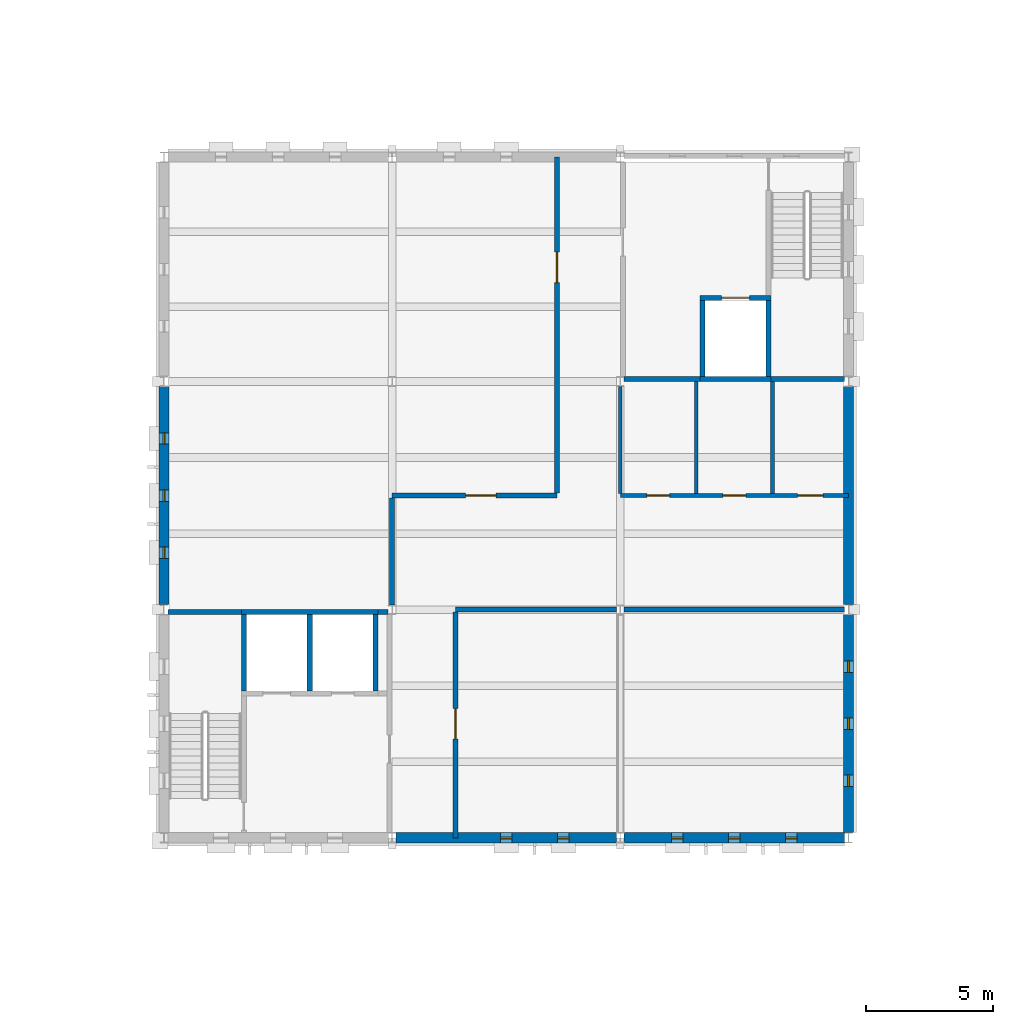
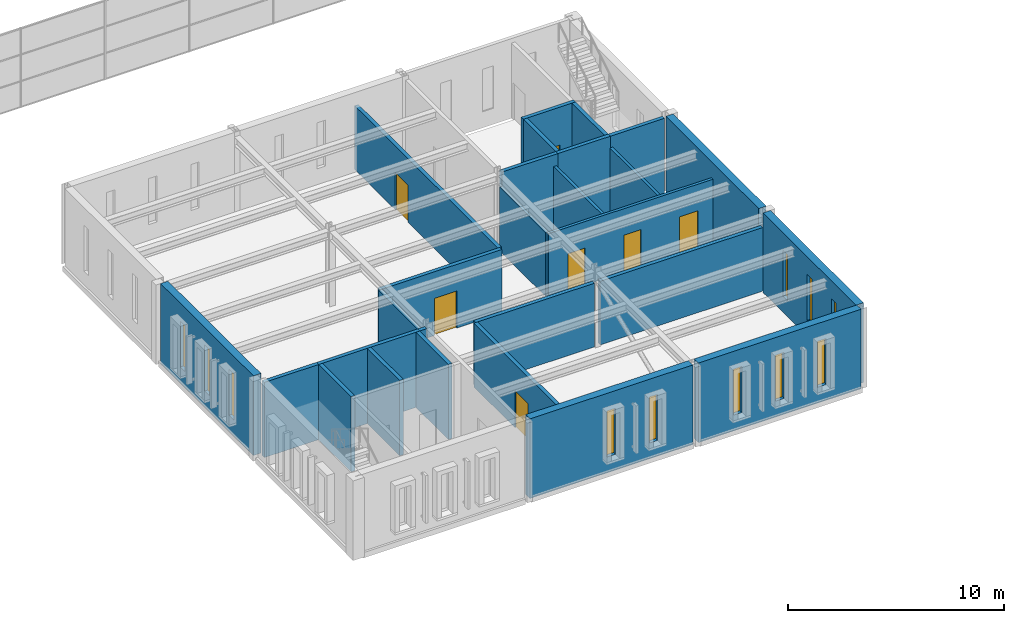
# One storey, part 66 of 111: 27 walls, 11 windows, 7 doors, 18 openings.
"""IFC4 building model written with IfcOpenShell, lengths in metres."""

from ifc_helpers import new_model, si_unit, direction, frame, frame_2d, origin, place, context, subcontext, project, spatial, rectangle, extrude, material, layer, layer_set, type_object, element, fill, save


model = new_model("IFC4")

# Units and contexts
model_context = context("Model", 3, precision=1e-05, world=origin(), true_north=direction((0.0, 1.0)))
body_context = subcontext(model_context, "Body", "Model", "MODEL_VIEW")
ifc_project = project(units=[si_unit("LENGTHUNIT", "METRE"), si_unit("AREAUNIT", "SQUARE_METRE"), si_unit("VOLUMEUNIT", "CUBIC_METRE"), si_unit("PLANEANGLEUNIT", "RADIAN"), si_unit("MASSUNIT", "GRAM", prefix="KILO")], contexts=[model_context])

# Site, building, storey
site_placement = place(None, origin())
site = spatial("IfcSite", under=ifc_project, at=site_placement, CompositionType="ELEMENT")
building_placement = place(site_placement, origin())
building = spatial("IfcBuilding", under=site, at=building_placement, Name="Kallimachos Central Library", CompositionType="ELEMENT")
storey_placement = place(building_placement, frame((0.0, 0.0, 14.39990234375)))
storey = spatial("IfcBuildingStorey", under=building, at=storey_placement, Name="L03", CompositionType="ELEMENT", Elevation=14.39990234375)

# Walls
ifc_material_1 = material(Name="Concrete C30/37", Category="concrete")
ifc_layer_1 = layer(ifc_material_1, 0.199951171875)
ifc_layer_set_1 = layer_set([ifc_layer_1], Name="Compartment wall 200")
wall_type_1 = type_object("IfcWallType", Name="Compartment wall 200", PredefinedType="SOLIDWALL", material=ifc_layer_set_1)
wall_1_placement = place(storey_placement, frame((86.0, 27.0, 0.0), z_axis=(0.0, 0.0, 1.0), x_axis=(1.0, 0.0, 0.0)))
element("IfcWall", 1, at=wall_1_placement, inside=storey, type_object=wall_type_1, Name="V5-WAL-L03-031", PredefinedType="SOLIDWALL", context=body_context, shape_type="SweptSolid", body=[
    extrude(rectangle(XDim=6.345458984375, YDim=0.199951171875, at=frame_2d((3.1728515625, 0.0))), origin(), (0.0, 0.0, 1.0), 3.60009765625),
])
wall_2_placement = place(storey_placement, frame((92.654541015625, 27.0, 0.0), z_axis=(0.0, 0.0, 1.0), x_axis=(1.0, 0.0, 0.0)))
element("IfcWall", 2, at=wall_2_placement, inside=storey, type_object=wall_type_1, Name="V5-WAL-L03-032", PredefinedType="SOLIDWALL", context=body_context, shape_type="SweptSolid", body=[
    extrude(rectangle(XDim=8.695556640625, YDim=0.199951171875, at=frame_2d((4.34765625, 0.0))), origin(), (0.0, 0.0, 1.0), 3.60009765625),
])

# Wall, opening, door
wall_3_placement = place(storey_placement, frame((83.5, 31.5, 0.0), z_axis=(0.0, 0.0, 1.0), x_axis=(1.0, 0.0, 0.0)))
wall_3 = element("IfcWall", 3, at=wall_3_placement, inside=storey, type_object=wall_type_1, Name="V5-WAL-L03-033", PredefinedType="SOLIDWALL", context=body_context, shape_type="SweptSolid", body=[
    extrude(rectangle(XDim=6.5, YDim=0.199951171875, at=frame_2d((3.25, 0.0))), origin(), (0.0, 0.0, 1.0), 3.60009765625),
])
opening_1_placement = place(wall_3_placement, frame((2.89990234375, 0.0, 0.0)))
opening_1 = element("IfcOpeningElement", 4, at=opening_1_placement, cuts=wall_3, Name="Opening D125", PredefinedType="OPENING", context=body_context, shape_type="SweptSolid", body=[
    extrude(rectangle(XDim=1.199951171875, YDim=2.10009765625, at=frame_2d((0.60009765625, 1.050048828125))), frame((0.0, 0.10986328125, 0.0), z_axis=(0.0, -1.0, 0.0), x_axis=(1.0, 0.0, 0.0)), (0.0, 0.0, 1.0), 0.219970703125),
])
ifc_material_2 = material(Name="Steel fire door", Category="steel")
door_type_1 = type_object("IfcDoorType", Name="Fire door EI2 90 1200 x 2100", OperationType="DOUBLE_DOOR_SINGLE_SWING", PredefinedType="DOOR", material=ifc_material_2)
door_1_placement = place(opening_1_placement, origin())
door_1 = element("IfcDoor", 5, at=door_1_placement, inside=storey, type_object=door_type_1, Name="Closed Stacks 1 door", OperationType="DOUBLE_DOOR_SINGLE_SWING", OverallHeight=2.10009765625, OverallWidth=1.199951171875, PredefinedType="DOOR", context=body_context, shape_type="SweptSolid", body=[
    extrude(rectangle(XDim=1.199951171875, YDim=2.10009765625, at=frame_2d((0.60009765625, 1.050048828125))), frame((0.0, 0.02490234375, 0.0), z_axis=(0.0, -1.0, 0.0), x_axis=(1.0, 0.0, 0.0)), (0.0, 0.0, 1.0), 0.050048828125),
])
fill(opening_1, door_1)

# Wall
wall_4_placement = place(storey_placement, frame((83.5, 27.1884765625, 0.0), z_axis=(0.0, 0.0, 1.0), x_axis=(0.0, 1.0, 0.0)))
element("IfcWall", 6, at=wall_4_placement, inside=storey, type_object=wall_type_1, Name="V5-WAL-L03-035", PredefinedType="SOLIDWALL", context=body_context, shape_type="SweptSolid", body=[
    extrude(rectangle(XDim=4.21142578125, YDim=0.199951171875, at=frame_2d((2.105712890625, 0.0))), origin(), (0.0, 0.0, 1.0), 3.60009765625),
])

# Wall, opening, door
wall_5_placement = place(storey_placement, frame((86.0, 18.0, 0.0), z_axis=(0.0, 0.0, 1.0), x_axis=(0.0, 1.0, 0.0)))
wall_5 = element("IfcWall", 7, at=wall_5_placement, inside=storey, type_object=wall_type_1, Name="V5-WAL-L03-036", PredefinedType="SOLIDWALL", context=body_context, shape_type="SweptSolid", body=[
    extrude(rectangle(XDim=8.89990234375, YDim=0.199951171875, at=frame_2d((4.449951171875, 0.0))), origin(), (0.0, 0.0, 1.0), 3.60009765625),
])
opening_2_placement = place(wall_5_placement, frame((3.89990234375, 0.0, 0.0)))
opening_2 = element("IfcOpeningElement", 8, at=opening_2_placement, cuts=wall_5, Name="Opening D127", PredefinedType="OPENING", context=body_context, shape_type="SweptSolid", body=[
    extrude(rectangle(XDim=1.199951171875, YDim=2.10009765625, at=frame_2d((0.60009765625, 1.050048828125))), frame((0.0, 0.10986328125, 0.0), z_axis=(0.0, -1.0, 0.0), x_axis=(1.0, 0.0, 0.0)), (0.0, 0.0, 1.0), 0.219970703125),
])
door_2_placement = place(opening_2_placement, origin())
door_2 = element("IfcDoor", 9, at=door_2_placement, inside=storey, type_object=door_type_1, Name="Closed Stacks 2 door", OperationType="DOUBLE_DOOR_SINGLE_SWING", OverallHeight=2.10009765625, OverallWidth=1.199951171875, PredefinedType="DOOR", context=body_context, shape_type="SweptSolid", body=[
    extrude(rectangle(XDim=1.199951171875, YDim=2.10009765625, at=frame_2d((0.60009765625, 1.050048828125))), frame((0.0, 0.02490234375, 0.0), z_axis=(0.0, -1.0, 0.0), x_axis=(1.0, 0.0, 0.0)), (0.0, 0.0, 1.0), 0.050048828125),
])
fill(opening_2, door_2)

wall_6_placement = place(storey_placement, frame((90.0, 31.60009765625, 0.0), z_axis=(0.0, 0.0, 1.0), x_axis=(0.0, 1.0, 0.0)))
wall_6 = element("IfcWall", 10, at=wall_6_placement, inside=storey, type_object=wall_type_1, Name="V5-WAL-L03-037", PredefinedType="SOLIDWALL", context=body_context, shape_type="SweptSolid", body=[
    extrude(rectangle(XDim=13.25, YDim=0.199951171875, at=frame_2d((6.625, 0.0))), origin(), (0.0, 0.0, 1.0), 3.60009765625),
])
opening_3_placement = place(wall_6_placement, frame((8.300048828125, 0.0, 0.0)))
opening_3 = element("IfcOpeningElement", 11, at=opening_3_placement, cuts=wall_6, Name="Opening D126", PredefinedType="OPENING", context=body_context, shape_type="SweptSolid", body=[
    extrude(rectangle(XDim=1.199951171875, YDim=2.10009765625, at=frame_2d((0.60009765625, 1.050048828125))), frame((0.0, 0.10986328125, 0.0), z_axis=(0.0, -1.0, 0.0), x_axis=(1.0, 0.0, 0.0)), (0.0, 0.0, 1.0), 0.219970703125),
])
door_3_placement = place(opening_3_placement, origin())
door_3 = element("IfcDoor", 12, at=door_3_placement, inside=storey, type_object=door_type_1, Name="Closed Stacks 1 door", OperationType="DOUBLE_DOOR_SINGLE_SWING", OverallHeight=2.10009765625, OverallWidth=1.199951171875, PredefinedType="DOOR", context=body_context, shape_type="SweptSolid", body=[
    extrude(rectangle(XDim=1.199951171875, YDim=2.10009765625, at=frame_2d((0.60009765625, 1.050048828125))), frame((0.0, 0.02490234375, 0.0), z_axis=(0.0, -1.0, 0.0), x_axis=(1.0, 0.0, 0.0)), (0.0, 0.0, 1.0), 0.050048828125),
])
fill(opening_3, door_3)

# Walls
ifc_material_3 = material(Name="Concrete C30/37", Category="concrete")
ifc_layer_2 = layer(ifc_material_3, 0.199951171875)
ifc_layer_set_2 = layer_set([ifc_layer_2], Name="Core wall 200")
wall_type_2 = type_object("IfcWallType", Name="Core wall 200", PredefinedType="SOLIDWALL", material=ifc_layer_set_2)
wall_7_placement = place(storey_placement, frame((74.64990234375, 26.89990234375, 0.0), z_axis=(0.0, 0.0, 1.0), x_axis=(1.0, 0.0, 0.0)))
element("IfcWall", 13, at=wall_7_placement, inside=storey, type_object=wall_type_2, Name="V5-WAL-L03-022", PredefinedType="SOLIDWALL", context=body_context, shape_type="SweptSolid", body=[
    extrude(rectangle(XDim=2.900146484375, YDim=0.199951171875, at=frame_2d((1.4501953125, 0.0))), origin(), (0.0, 0.0, 1.0), 4.25),
])
wall_8_placement = place(storey_placement, frame((82.949951171875, 26.89990234375, 0.0), z_axis=(0.0, 0.0, 1.0), x_axis=(1.0, 0.0, 0.0)))
element("IfcWall", 14, at=wall_8_placement, inside=storey, type_object=wall_type_2, Name="V5-WAL-L03-023", PredefinedType="SOLIDWALL", context=body_context, shape_type="SweptSolid", body=[
    extrude(rectangle(XDim=0.3955078125, YDim=0.199951171875, at=frame_2d((0.19775390625, 0.0))), origin(), (0.0, 0.0, 1.0), 4.25),
])
wall_9_placement = place(storey_placement, frame((92.654541015625, 36.10009765625, 0.0), z_axis=(0.0, 0.0, 1.0), x_axis=(1.0, 0.0, 0.0)))
element("IfcWall", 15, at=wall_9_placement, inside=storey, type_object=wall_type_2, Name="V5-WAL-L03-027", PredefinedType="SOLIDWALL", context=body_context, shape_type="SweptSolid", body=[
    extrude(rectangle(XDim=2.995361328125, YDim=0.199951171875, at=frame_2d((1.49755859375, 0.0))), origin(), (0.0, 0.0, 1.0), 4.25),
])
wall_10_placement = place(storey_placement, frame((98.449951171875, 36.10009765625, 0.0), z_axis=(0.0, 0.0, 1.0), x_axis=(1.0, 0.0, 0.0)))
element("IfcWall", 16, at=wall_10_placement, inside=storey, type_object=wall_type_2, Name="V5-WAL-L03-028", PredefinedType="SOLIDWALL", context=body_context, shape_type="SweptSolid", body=[
    extrude(rectangle(XDim=2.900146484375, YDim=0.199951171875, at=frame_2d((1.4501953125, 0.0))), origin(), (0.0, 0.0, 1.0), 4.25),
])

# Wall, openings, doors
ifc_material_4 = material(Name="Gypsum board partition")
ifc_layer_3 = layer(ifc_material_4, 0.14990234375)
ifc_layer_set_3 = layer_set([ifc_layer_3], Name="Fire-resisting partition 150")
wall_type_3 = type_object("IfcWallType", Name="Fire-resisting partition 150", PredefinedType="PARTITIONING", material=ifc_layer_set_3)
wall_11_placement = place(storey_placement, frame((92.5, 31.5, 0.0), z_axis=(0.0, 0.0, 1.0), x_axis=(1.0, 0.0, 0.0)))
wall_11 = element("IfcWall", 17, at=wall_11_placement, inside=storey, type_object=wall_type_3, Name="V5-WAL-L03-034", PredefinedType="PARTITIONING", context=body_context, shape_type="SweptSolid", body=[
    extrude(rectangle(XDim=9.0, YDim=0.14990234375, at=frame_2d((4.5, 0.0))), origin(), (0.0, 0.0, 1.0), 3.60009765625),
])
opening_4_placement = place(wall_11_placement, frame((1.050048828125, 0.0, 0.0)))
opening_4 = element("IfcOpeningElement", 18, at=opening_4_placement, cuts=wall_11, Name="Opening D128", PredefinedType="OPENING", context=body_context, shape_type="SweptSolid", body=[
    extrude(rectangle(XDim=0.89990234375, YDim=2.10009765625, at=frame_2d((0.449951171875, 1.050048828125))), frame((0.0, 0.0849609375, 0.0), z_axis=(0.0, -1.0, 0.0), x_axis=(1.0, 0.0, 0.0)), (0.0, 0.0, 1.0), 0.169921875),
])
opening_5_placement = place(wall_11_placement, frame((4.050048828125, 0.0, 0.0)))
opening_5 = element("IfcOpeningElement", 19, at=opening_5_placement, cuts=wall_11, Name="Opening D129", PredefinedType="OPENING", context=body_context, shape_type="SweptSolid", body=[
    extrude(rectangle(XDim=0.89990234375, YDim=2.10009765625, at=frame_2d((0.449951171875, 1.050048828125))), frame((0.0, 0.0849609375, 0.0), z_axis=(0.0, -1.0, 0.0), x_axis=(1.0, 0.0, 0.0)), (0.0, 0.0, 1.0), 0.169921875),
])
opening_6_placement = place(wall_11_placement, frame((7.0, 0.0, 0.0)))
opening_6 = element("IfcOpeningElement", 20, at=opening_6_placement, cuts=wall_11, Name="Opening D130", PredefinedType="OPENING", context=body_context, shape_type="SweptSolid", body=[
    extrude(rectangle(XDim=1.0, YDim=2.10009765625, at=frame_2d((0.5, 1.050048828125))), frame((0.0, 0.0849609375, 0.0), z_axis=(0.0, -1.0, 0.0), x_axis=(1.0, 0.0, 0.0)), (0.0, 0.0, 1.0), 0.169921875),
])
ifc_material_5 = material(Name="Steel fire door", Category="steel")
door_type_2 = type_object("IfcDoorType", Name="Fire door EI2 30 1000 x 2100", OperationType="NOTDEFINED", PredefinedType="DOOR", material=ifc_material_5)
door_4_placement = place(opening_6_placement, origin())
door_4 = element("IfcDoor", 21, at=door_4_placement, inside=storey, type_object=door_type_2, Name="Accessible WC door", OperationType="SINGLE_SWING_LEFT", OverallHeight=2.10009765625, OverallWidth=1.0, PredefinedType="DOOR", context=body_context, shape_type="SweptSolid", body=[
    extrude(rectangle(XDim=1.0, YDim=2.10009765625, at=frame_2d((0.5, 1.050048828125))), frame((0.0, 0.02490234375, 0.0), z_axis=(0.0, -1.0, 0.0), x_axis=(1.0, 0.0, 0.0)), (0.0, 0.0, 1.0), 0.050048828125),
])
fill(opening_6, door_4)
ifc_material_6 = material(Name="Steel fire door", Category="steel")
door_type_3 = type_object("IfcDoorType", Name="Fire door EI2 30 900 x 2100", OperationType="NOTDEFINED", PredefinedType="DOOR", material=ifc_material_6)
door_5_placement = place(opening_4_placement, origin())
door_5 = element("IfcDoor", 22, at=door_5_placement, inside=storey, type_object=door_type_3, Name="Men's WC door", OperationType="SINGLE_SWING_RIGHT", OverallHeight=2.10009765625, OverallWidth=0.89990234375, PredefinedType="DOOR", context=body_context, shape_type="SweptSolid", body=[
    extrude(rectangle(XDim=0.89990234375, YDim=2.10009765625, at=frame_2d((0.449951171875, 1.050048828125))), frame((0.0, 0.02490234375, 0.0), z_axis=(0.0, -1.0, 0.0), x_axis=(1.0, 0.0, 0.0)), (0.0, 0.0, 1.0), 0.050048828125),
])
fill(opening_4, door_5)
door_6_placement = place(opening_5_placement, origin())
door_6 = element("IfcDoor", 23, at=door_6_placement, inside=storey, type_object=door_type_3, Name="Women's WC door", OperationType="SINGLE_SWING_RIGHT", OverallHeight=2.10009765625, OverallWidth=0.89990234375, PredefinedType="DOOR", context=body_context, shape_type="SweptSolid", body=[
    extrude(rectangle(XDim=0.89990234375, YDim=2.10009765625, at=frame_2d((0.449951171875, 1.050048828125))), frame((0.0, 0.02490234375, 0.0), z_axis=(0.0, -1.0, 0.0), x_axis=(1.0, 0.0, 0.0)), (0.0, 0.0, 1.0), 0.050048828125),
])
fill(opening_5, door_6)

# Walls
wall_12_placement = place(storey_placement, frame((92.5, 31.574951171875, 0.0), z_axis=(0.0, 0.0, 1.0), x_axis=(0.0, 1.0, 0.0)))
element("IfcWall", 24, at=wall_12_placement, inside=storey, type_object=wall_type_3, Name="V5-WAL-L03-038", PredefinedType="PARTITIONING", context=body_context, shape_type="SweptSolid", body=[
    extrude(rectangle(XDim=4.236572265625, YDim=0.14990234375, at=frame_2d((2.1181640625, 0.0))), origin(), (0.0, 0.0, 1.0), 3.60009765625),
])
for number, where, z_axis, x_axis, name in (
    (25, (95.5, 31.574951171875, 0.0), (0.0, 0.0, 1.0), (0.0, 1.0, 0.0), "V5-WAL-L03-039"),
    (26, (98.5, 31.574951171875, 0.0), (0.0, 0.0, 1.0), (0.0, 1.0, 0.0), "V5-WAL-L03-040"),
):
    element("IfcWall", number, at=place(storey_placement, frame(where, z_axis=z_axis, x_axis=x_axis)), inside=storey, type_object=wall_type_3, Name=name, PredefinedType="PARTITIONING", context=body_context, shape_type="SweptSolid", body=[
        extrude(rectangle(XDim=4.425048828125, YDim=0.14990234375, at=frame_2d((2.21240234375, 0.0))), origin(), (0.0, 0.0, 1.0), 3.60009765625),
    ])
ifc_material_7 = material(Name="Concrete C30/37", Category="concrete")
ifc_layer_4 = layer(ifc_material_7, 0.199951171875)
ifc_layer_set_4 = layer_set([ifc_layer_4], Name="Lift shaft wall 200")
wall_type_4 = type_object("IfcWallType", Name="Lift shaft wall 200", PredefinedType="SOLIDWALL", material=ifc_layer_set_4)
wall_13_placement = place(storey_placement, frame((77.550048828125, 26.89990234375, 0.0), z_axis=(0.0, 0.0, 1.0), x_axis=(1.0, 0.0, 0.0)))
element("IfcWall", 27, at=wall_13_placement, inside=storey, type_object=wall_type_4, Name="V5-WAL-L03-002", PredefinedType="SOLIDWALL", context=body_context, shape_type="SweptSolid", body=[
    extrude(rectangle(XDim=5.39990234375, YDim=0.199951171875, at=frame_2d((2.699951171875, 0.0))), origin(), (0.0, 0.0, 1.0), 4.25),
])
for number, where, z_axis, x_axis, name in (
    (28, (77.64990234375, 23.800048828125, 0.0), (0.0, 0.0, 1.0), (0.0, 1.0, 0.0), "V5-WAL-L03-003"),
    (29, (80.25, 23.800048828125, 0.0), (0.0, 0.0, 1.0), (0.0, 1.0, 0.0), "V5-WAL-L03-004"),
    (30, (82.85009765625, 23.800048828125, 0.0), (0.0, 0.0, 1.0), (0.0, 1.0, 0.0), "V5-WAL-L03-005"),
):
    element("IfcWall", number, at=place(storey_placement, frame(where, z_axis=z_axis, x_axis=x_axis)), inside=storey, type_object=wall_type_4, Name=name, PredefinedType="SOLIDWALL", context=body_context, shape_type="SweptSolid", body=[
        extrude(rectangle(XDim=3.0, YDim=0.199951171875, at=frame_2d((1.5, 0.0))), origin(), (0.0, 0.0, 1.0), 4.25),
    ])
wall_14_placement = place(storey_placement, frame((95.64990234375, 36.10009765625, 0.0), z_axis=(0.0, 0.0, 1.0), x_axis=(1.0, 0.0, 0.0)))
element("IfcWall", 31, at=wall_14_placement, inside=storey, type_object=wall_type_4, Name="V5-WAL-L03-006", PredefinedType="SOLIDWALL", context=body_context, shape_type="SweptSolid", body=[
    extrude(rectangle(XDim=2.800048828125, YDim=0.199951171875, at=frame_2d((1.39990234375, 0.0))), origin(), (0.0, 0.0, 1.0), 4.25),
])

# Wall, opening, door
wall_15_placement = place(storey_placement, frame((95.64990234375, 39.300048828125, 0.0), z_axis=(0.0, 0.0, 1.0), x_axis=(1.0, 0.0, 0.0)))
wall_15 = element("IfcWall", 32, at=wall_15_placement, inside=storey, type_object=wall_type_4, Name="V5-WAL-L03-007", PredefinedType="SOLIDWALL", context=body_context, shape_type="SweptSolid", body=[
    extrude(rectangle(XDim=2.800048828125, YDim=0.199951171875, at=frame_2d((1.39990234375, 0.0))), origin(), (0.0, 0.0, 1.0), 4.25),
])
opening_7_placement = place(wall_15_placement, frame((0.85009765625, 0.0, 0.0)))
opening_7 = element("IfcOpeningElement", 33, at=opening_7_placement, cuts=wall_15, Name="Opening LD1100", PredefinedType="OPENING", context=body_context, shape_type="SweptSolid", body=[
    extrude(rectangle(XDim=1.10009765625, YDim=2.10009765625, at=frame_2d((0.550048828125, 1.050048828125))), frame((0.0, 0.10986328125, 0.0), z_axis=(0.0, -1.0, 0.0), x_axis=(1.0, 0.0, 0.0)), (0.0, 0.0, 1.0), 0.219970703125),
])
ifc_material_8 = material(Name="Stainless steel", Category="steel")
door_type_4 = type_object("IfcDoorType", Name="Lift landing door 1100 x 2100", OperationType="SLIDING_TO_LEFT", PredefinedType="DOOR", material=ifc_material_8)
door_7_placement = place(opening_7_placement, origin())
door_7 = element("IfcDoor", 34, at=door_7_placement, inside=storey, type_object=door_type_4, Name="LF13 landing door L03", OperationType="SLIDING_TO_LEFT", OverallHeight=2.10009765625, OverallWidth=1.10009765625, PredefinedType="DOOR", context=body_context, shape_type="SweptSolid", body=[
    extrude(rectangle(XDim=1.10009765625, YDim=2.10009765625, at=frame_2d((0.550048828125, 1.050048828125))), frame((0.0, 0.02490234375, 0.0), z_axis=(0.0, -1.0, 0.0), x_axis=(1.0, 0.0, 0.0)), (0.0, 0.0, 1.0), 0.050048828125),
])
fill(opening_7, door_7)

# Walls
for number, where, z_axis, x_axis, name in (
    (35, (95.75, 36.199951171875, 0.0), (0.0, 0.0, 1.0), (0.0, 1.0, 0.0), "V5-WAL-L03-008"),
    (36, (98.35009765625, 36.199951171875, 0.0), (0.0, 0.0, 1.0), (0.0, 1.0, 0.0), "V5-WAL-L03-009"),
):
    element("IfcWall", number, at=place(storey_placement, frame(where, z_axis=z_axis, x_axis=x_axis)), inside=storey, type_object=wall_type_4, Name=name, PredefinedType="SOLIDWALL", context=body_context, shape_type="SweptSolid", body=[
        extrude(rectangle(XDim=3.0, YDim=0.199951171875, at=frame_2d((1.5, 0.0))), origin(), (0.0, 0.0, 1.0), 4.25),
    ])

# Wall, openings, windows
ifc_material_9 = material(Name="Pentelic marble masonry", Category="masonry")
ifc_layer_5 = layer(ifc_material_9, 0.39990234375)
ifc_layer_set_5 = layer_set([ifc_layer_5], Name="Stone masonry wall 400")
wall_type_5 = type_object("IfcWallType", Name="Stone masonry wall 400", PredefinedType="SOLIDWALL", material=ifc_layer_set_5)
wall_16_placement = place(storey_placement, frame((83.64990234375, 18.0, 0.0), z_axis=(0.0, 0.0, 1.0), x_axis=(1.0, 0.0, 0.0)))
wall_16 = element("IfcWall", 37, at=wall_16_placement, inside=storey, type_object=wall_type_5, Name="V5-WAL-L03-011", PredefinedType="SOLIDWALL", context=body_context, shape_type="SweptSolid", body=[
    extrude(rectangle(XDim=8.7001953125, YDim=0.39990234375, at=frame_2d((4.35009765625, 0.0))), origin(), (0.0, 0.0, 1.0), 4.5),
])
opening_8_placement = place(wall_16_placement, frame((4.125, 0.0, 0.89990234375)))
opening_8 = element("IfcOpeningElement", 38, at=opening_8_placement, cuts=wall_16, Name="Opening WN103", PredefinedType="OPENING", context=body_context, shape_type="SweptSolid", body=[
    extrude(rectangle(XDim=0.449951171875, YDim=2.60009765625, at=frame_2d((0.22509765625, 1.300048828125))), frame((0.0, 0.2099609375, 0.0), z_axis=(0.0, -1.0, 0.0), x_axis=(1.0, 0.0, 0.0)), (0.0, 0.0, 1.0), 0.419921875),
])
opening_9_placement = place(wall_16_placement, frame((6.375, 0.0, 0.89990234375)))
opening_9 = element("IfcOpeningElement", 39, at=opening_9_placement, cuts=wall_16, Name="Opening WN104", PredefinedType="OPENING", context=body_context, shape_type="SweptSolid", body=[
    extrude(rectangle(XDim=0.449951171875, YDim=2.60009765625, at=frame_2d((0.22509765625, 1.300048828125))), frame((0.0, 0.2099609375, 0.0), z_axis=(0.0, -1.0, 0.0), x_axis=(1.0, 0.0, 0.0)), (0.0, 0.0, 1.0), 0.419921875),
])
ifc_material_10 = material(Name="Anodised aluminium and laminated glass", Category="aluminium")
window_type = type_object("IfcWindowType", Name="Stack slot window 450 x 2600", PartitioningType="SINGLE_PANEL", PredefinedType="WINDOW", material=ifc_material_10)
window_1_placement = place(opening_8_placement, origin())
window_1 = element("IfcWindow", 40, at=window_1_placement, inside=storey, type_object=window_type, Name="V5-WIN-L03-004", OverallHeight=2.60009765625, OverallWidth=0.449951171875, PartitioningType="SINGLE_PANEL", PredefinedType="WINDOW", context=body_context, shape_type="SweptSolid", body=[
    extrude(rectangle(XDim=0.449951171875, YDim=2.60009765625, at=frame_2d((0.22509765625, 1.300048828125))), frame((0.0, 0.030029296875, 0.0), z_axis=(0.0, -1.0, 0.0), x_axis=(1.0, 0.0, 0.0)), (0.0, 0.0, 1.0), 0.06005859375),
])
fill(opening_8, window_1)
window_2_placement = place(opening_9_placement, origin())
window_2 = element("IfcWindow", 41, at=window_2_placement, inside=storey, type_object=window_type, Name="V5-WIN-L03-005", OverallHeight=2.60009765625, OverallWidth=0.449951171875, PartitioningType="SINGLE_PANEL", PredefinedType="WINDOW", context=body_context, shape_type="SweptSolid", body=[
    extrude(rectangle(XDim=0.449951171875, YDim=2.60009765625, at=frame_2d((0.22509765625, 1.300048828125))), frame((0.0, 0.030029296875, 0.0), z_axis=(0.0, -1.0, 0.0), x_axis=(1.0, 0.0, 0.0)), (0.0, 0.0, 1.0), 0.06005859375),
])
fill(opening_9, window_2)

wall_17_placement = place(storey_placement, frame((92.64990234375, 18.0, 0.0), z_axis=(0.0, 0.0, 1.0), x_axis=(1.0, 0.0, 0.0)))
wall_17 = element("IfcWall", 42, at=wall_17_placement, inside=storey, type_object=wall_type_5, Name="V5-WAL-L03-012", PredefinedType="SOLIDWALL", context=body_context, shape_type="SweptSolid", body=[
    extrude(rectangle(XDim=8.7001953125, YDim=0.39990234375, at=frame_2d((4.35009765625, 0.0))), origin(), (0.0, 0.0, 1.0), 4.5),
])
opening_10_placement = place(wall_17_placement, frame((1.875, 0.0, 0.89990234375)))
opening_10 = element("IfcOpeningElement", 43, at=opening_10_placement, cuts=wall_17, Name="Opening WN105", PredefinedType="OPENING", context=body_context, shape_type="SweptSolid", body=[
    extrude(rectangle(XDim=0.449951171875, YDim=2.60009765625, at=frame_2d((0.22509765625, 1.300048828125))), frame((0.0, 0.2099609375, 0.0), z_axis=(0.0, -1.0, 0.0), x_axis=(1.0, 0.0, 0.0)), (0.0, 0.0, 1.0), 0.419921875),
])
opening_11_placement = place(wall_17_placement, frame((4.125, 0.0, 0.89990234375)))
opening_11 = element("IfcOpeningElement", 44, at=opening_11_placement, cuts=wall_17, Name="Opening WN106", PredefinedType="OPENING", context=body_context, shape_type="SweptSolid", body=[
    extrude(rectangle(XDim=0.449951171875, YDim=2.60009765625, at=frame_2d((0.22509765625, 1.300048828125))), frame((0.0, 0.2099609375, 0.0), z_axis=(0.0, -1.0, 0.0), x_axis=(1.0, 0.0, 0.0)), (0.0, 0.0, 1.0), 0.419921875),
])
opening_12_placement = place(wall_17_placement, frame((6.375, 0.0, 0.89990234375)))
opening_12 = element("IfcOpeningElement", 45, at=opening_12_placement, cuts=wall_17, Name="Opening WN107", PredefinedType="OPENING", context=body_context, shape_type="SweptSolid", body=[
    extrude(rectangle(XDim=0.449951171875, YDim=2.60009765625, at=frame_2d((0.22509765625, 1.300048828125))), frame((0.0, 0.2099609375, 0.0), z_axis=(0.0, -1.0, 0.0), x_axis=(1.0, 0.0, 0.0)), (0.0, 0.0, 1.0), 0.419921875),
])
window_3_placement = place(opening_10_placement, origin())
window_3 = element("IfcWindow", 46, at=window_3_placement, inside=storey, type_object=window_type, Name="V5-WIN-L03-006", OverallHeight=2.60009765625, OverallWidth=0.449951171875, PartitioningType="SINGLE_PANEL", PredefinedType="WINDOW", context=body_context, shape_type="SweptSolid", body=[
    extrude(rectangle(XDim=0.449951171875, YDim=2.60009765625, at=frame_2d((0.22509765625, 1.300048828125))), frame((0.0, 0.030029296875, 0.0), z_axis=(0.0, -1.0, 0.0), x_axis=(1.0, 0.0, 0.0)), (0.0, 0.0, 1.0), 0.06005859375),
])
fill(opening_10, window_3)
window_4_placement = place(opening_11_placement, origin())
window_4 = element("IfcWindow", 47, at=window_4_placement, inside=storey, type_object=window_type, Name="V5-WIN-L03-007", OverallHeight=2.60009765625, OverallWidth=0.449951171875, PartitioningType="SINGLE_PANEL", PredefinedType="WINDOW", context=body_context, shape_type="SweptSolid", body=[
    extrude(rectangle(XDim=0.449951171875, YDim=2.60009765625, at=frame_2d((0.22509765625, 1.300048828125))), frame((0.0, 0.030029296875, 0.0), z_axis=(0.0, -1.0, 0.0), x_axis=(1.0, 0.0, 0.0)), (0.0, 0.0, 1.0), 0.06005859375),
])
fill(opening_11, window_4)
window_5_placement = place(opening_12_placement, origin())
window_5 = element("IfcWindow", 48, at=window_5_placement, inside=storey, type_object=window_type, Name="V5-WIN-L03-008", OverallHeight=2.60009765625, OverallWidth=0.449951171875, PartitioningType="SINGLE_PANEL", PredefinedType="WINDOW", context=body_context, shape_type="SweptSolid", body=[
    extrude(rectangle(XDim=0.449951171875, YDim=2.60009765625, at=frame_2d((0.22509765625, 1.300048828125))), frame((0.0, 0.030029296875, 0.0), z_axis=(0.0, -1.0, 0.0), x_axis=(1.0, 0.0, 0.0)), (0.0, 0.0, 1.0), 0.06005859375),
])
fill(opening_12, window_5)

wall_18_placement = place(storey_placement, frame((74.5, 27.199951171875, 0.0), z_axis=(0.0, 0.0, 1.0), x_axis=(0.0, 1.0, 0.0)))
wall_18 = element("IfcWall", 49, at=wall_18_placement, inside=storey, type_object=wall_type_5, Name="V5-WAL-L03-017", PredefinedType="SOLIDWALL", context=body_context, shape_type="SweptSolid", body=[
    extrude(rectangle(XDim=8.60009765625, YDim=0.39990234375, at=frame_2d((4.300048828125, 0.0))), origin(), (0.0, 0.0, 1.0), 4.5),
])
opening_13_placement = place(wall_18_placement, frame((1.824951171875, 0.0, 0.89990234375)))
opening_13 = element("IfcOpeningElement", 50, at=opening_13_placement, cuts=wall_18, Name="Opening WN119", PredefinedType="OPENING", context=body_context, shape_type="SweptSolid", body=[
    extrude(rectangle(XDim=0.449951171875, YDim=2.60009765625, at=frame_2d((0.22509765625, 1.300048828125))), frame((0.0, 0.2099609375, 0.0), z_axis=(0.0, -1.0, 0.0), x_axis=(1.0, 0.0, 0.0)), (0.0, 0.0, 1.0), 0.419921875),
])
opening_14_placement = place(wall_18_placement, frame((4.074951171875, 0.0, 0.89990234375)))
opening_14 = element("IfcOpeningElement", 51, at=opening_14_placement, cuts=wall_18, Name="Opening WN120", PredefinedType="OPENING", context=body_context, shape_type="SweptSolid", body=[
    extrude(rectangle(XDim=0.449951171875, YDim=2.60009765625, at=frame_2d((0.22509765625, 1.300048828125))), frame((0.0, 0.2099609375, 0.0), z_axis=(0.0, -1.0, 0.0), x_axis=(1.0, 0.0, 0.0)), (0.0, 0.0, 1.0), 0.419921875),
])
opening_15_placement = place(wall_18_placement, frame((6.324951171875, 0.0, 0.89990234375)))
opening_15 = element("IfcOpeningElement", 52, at=opening_15_placement, cuts=wall_18, Name="Opening WN121", PredefinedType="OPENING", context=body_context, shape_type="SweptSolid", body=[
    extrude(rectangle(XDim=0.449951171875, YDim=2.60009765625, at=frame_2d((0.22509765625, 1.300048828125))), frame((0.0, 0.2099609375, 0.0), z_axis=(0.0, -1.0, 0.0), x_axis=(1.0, 0.0, 0.0)), (0.0, 0.0, 1.0), 0.419921875),
])
window_6_placement = place(opening_13_placement, origin())
window_6 = element("IfcWindow", 53, at=window_6_placement, inside=storey, type_object=window_type, Name="V5-WIN-L03-020", OverallHeight=2.60009765625, OverallWidth=0.449951171875, PartitioningType="SINGLE_PANEL", PredefinedType="WINDOW", context=body_context, shape_type="SweptSolid", body=[
    extrude(rectangle(XDim=0.449951171875, YDim=2.60009765625, at=frame_2d((0.22509765625, 1.300048828125))), frame((0.0, 0.030029296875, 0.0), z_axis=(0.0, -1.0, 0.0), x_axis=(1.0, 0.0, 0.0)), (0.0, 0.0, 1.0), 0.06005859375),
])
fill(opening_13, window_6)
window_7_placement = place(opening_14_placement, origin())
window_7 = element("IfcWindow", 54, at=window_7_placement, inside=storey, type_object=window_type, Name="V5-WIN-L03-021", OverallHeight=2.60009765625, OverallWidth=0.449951171875, PartitioningType="SINGLE_PANEL", PredefinedType="WINDOW", context=body_context, shape_type="SweptSolid", body=[
    extrude(rectangle(XDim=0.449951171875, YDim=2.60009765625, at=frame_2d((0.22509765625, 1.300048828125))), frame((0.0, 0.030029296875, 0.0), z_axis=(0.0, -1.0, 0.0), x_axis=(1.0, 0.0, 0.0)), (0.0, 0.0, 1.0), 0.06005859375),
])
fill(opening_14, window_7)
window_8_placement = place(opening_15_placement, origin())
window_8 = element("IfcWindow", 55, at=window_8_placement, inside=storey, type_object=window_type, Name="V5-WIN-L03-022", OverallHeight=2.60009765625, OverallWidth=0.449951171875, PartitioningType="SINGLE_PANEL", PredefinedType="WINDOW", context=body_context, shape_type="SweptSolid", body=[
    extrude(rectangle(XDim=0.449951171875, YDim=2.60009765625, at=frame_2d((0.22509765625, 1.300048828125))), frame((0.0, 0.030029296875, 0.0), z_axis=(0.0, -1.0, 0.0), x_axis=(1.0, 0.0, 0.0)), (0.0, 0.0, 1.0), 0.06005859375),
])
fill(opening_15, window_8)

wall_19_placement = place(storey_placement, frame((101.5, 18.199951171875, 0.0), z_axis=(0.0, 0.0, 1.0), x_axis=(0.0, 1.0, 0.0)))
wall_19 = element("IfcWall", 56, at=wall_19_placement, inside=storey, type_object=wall_type_5, Name="V5-WAL-L03-019", PredefinedType="SOLIDWALL", context=body_context, shape_type="SweptSolid", body=[
    extrude(rectangle(XDim=8.60009765625, YDim=0.39990234375, at=frame_2d((4.300048828125, 0.0))), origin(), (0.0, 0.0, 1.0), 4.5),
])
opening_16_placement = place(wall_19_placement, frame((1.824951171875, 0.0, 0.89990234375)))
opening_16 = element("IfcOpeningElement", 57, at=opening_16_placement, cuts=wall_19, Name="Opening WN125", PredefinedType="OPENING", context=body_context, shape_type="SweptSolid", body=[
    extrude(rectangle(XDim=0.449951171875, YDim=2.60009765625, at=frame_2d((0.22509765625, 1.300048828125))), frame((0.0, 0.2099609375, 0.0), z_axis=(0.0, -1.0, 0.0), x_axis=(1.0, 0.0, 0.0)), (0.0, 0.0, 1.0), 0.419921875),
])
opening_17_placement = place(wall_19_placement, frame((4.074951171875, 0.0, 0.89990234375)))
opening_17 = element("IfcOpeningElement", 58, at=opening_17_placement, cuts=wall_19, Name="Opening WN126", PredefinedType="OPENING", context=body_context, shape_type="SweptSolid", body=[
    extrude(rectangle(XDim=0.449951171875, YDim=2.60009765625, at=frame_2d((0.22509765625, 1.300048828125))), frame((0.0, 0.2099609375, 0.0), z_axis=(0.0, -1.0, 0.0), x_axis=(1.0, 0.0, 0.0)), (0.0, 0.0, 1.0), 0.419921875),
])
opening_18_placement = place(wall_19_placement, frame((6.324951171875, 0.0, 0.89990234375)))
opening_18 = element("IfcOpeningElement", 59, at=opening_18_placement, cuts=wall_19, Name="Opening WN127", PredefinedType="OPENING", context=body_context, shape_type="SweptSolid", body=[
    extrude(rectangle(XDim=0.449951171875, YDim=2.60009765625, at=frame_2d((0.22509765625, 1.300048828125))), frame((0.0, 0.2099609375, 0.0), z_axis=(0.0, -1.0, 0.0), x_axis=(1.0, 0.0, 0.0)), (0.0, 0.0, 1.0), 0.419921875),
])
window_9_placement = place(opening_16_placement, origin())
window_9 = element("IfcWindow", 60, at=window_9_placement, inside=storey, type_object=window_type, Name="V5-WIN-L03-026", OverallHeight=2.60009765625, OverallWidth=0.449951171875, PartitioningType="SINGLE_PANEL", PredefinedType="WINDOW", context=body_context, shape_type="SweptSolid", body=[
    extrude(rectangle(XDim=0.449951171875, YDim=2.60009765625, at=frame_2d((0.22509765625, 1.300048828125))), frame((0.0, 0.030029296875, 0.0), z_axis=(0.0, -1.0, 0.0), x_axis=(1.0, 0.0, 0.0)), (0.0, 0.0, 1.0), 0.06005859375),
])
fill(opening_16, window_9)
window_10_placement = place(opening_17_placement, origin())
window_10 = element("IfcWindow", 61, at=window_10_placement, inside=storey, type_object=window_type, Name="V5-WIN-L03-027", OverallHeight=2.60009765625, OverallWidth=0.449951171875, PartitioningType="SINGLE_PANEL", PredefinedType="WINDOW", context=body_context, shape_type="SweptSolid", body=[
    extrude(rectangle(XDim=0.449951171875, YDim=2.60009765625, at=frame_2d((0.22509765625, 1.300048828125))), frame((0.0, 0.030029296875, 0.0), z_axis=(0.0, -1.0, 0.0), x_axis=(1.0, 0.0, 0.0)), (0.0, 0.0, 1.0), 0.06005859375),
])
fill(opening_17, window_10)
window_11_placement = place(opening_18_placement, origin())
window_11 = element("IfcWindow", 62, at=window_11_placement, inside=storey, type_object=window_type, Name="V5-WIN-L03-028", OverallHeight=2.60009765625, OverallWidth=0.449951171875, PartitioningType="SINGLE_PANEL", PredefinedType="WINDOW", context=body_context, shape_type="SweptSolid", body=[
    extrude(rectangle(XDim=0.449951171875, YDim=2.60009765625, at=frame_2d((0.22509765625, 1.300048828125))), frame((0.0, 0.030029296875, 0.0), z_axis=(0.0, -1.0, 0.0), x_axis=(1.0, 0.0, 0.0)), (0.0, 0.0, 1.0), 0.06005859375),
])
fill(opening_18, window_11)

# Wall
wall_20_placement = place(storey_placement, frame((101.5, 27.199951171875, 0.0), z_axis=(0.0, 0.0, 1.0), x_axis=(0.0, 1.0, 0.0)))
element("IfcWall", 63, at=wall_20_placement, inside=storey, type_object=wall_type_5, Name="V5-WAL-L03-020", PredefinedType="SOLIDWALL", context=body_context, shape_type="SweptSolid", body=[
    extrude(rectangle(XDim=8.60009765625, YDim=0.39990234375, at=frame_2d((4.300048828125, 0.0))), origin(), (0.0, 0.0, 1.0), 4.5),
])

save(model, "model.ifc")
